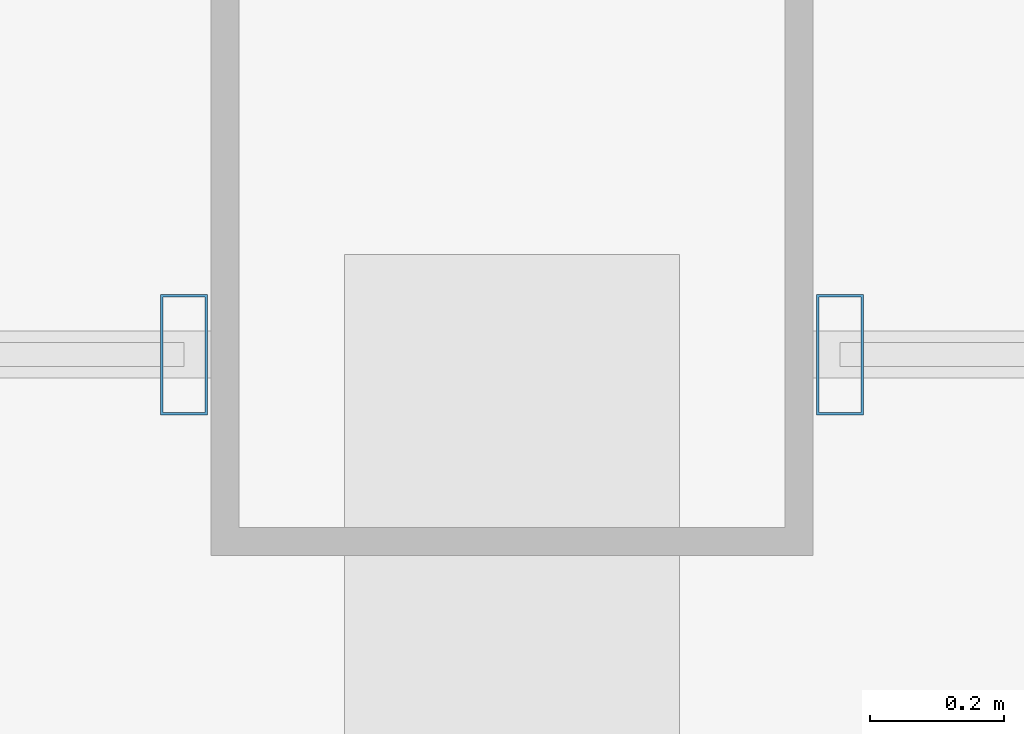
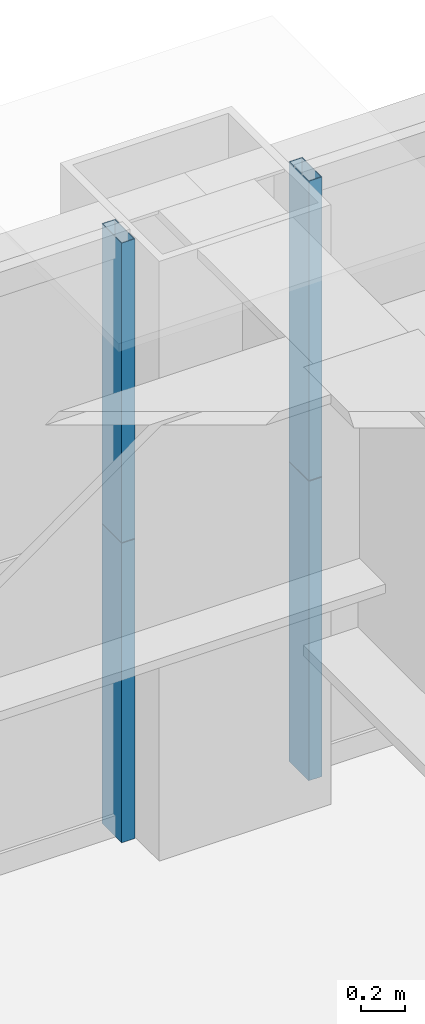
# One storey, part 30 of 44: 4 members, 2 elements without a shape of their own.
"""IFC4 building model written with IfcOpenShell, lengths in metres."""

from ifc_helpers import new_model, si_unit, direction, frame, origin, origin_2d, place, context, subcontext, project, spatial, hollow_rectangle, extrude, source, transform, mapped, material, layer, layer_set, material_profile, profile_set, type_object, element, aggregate, save


model = new_model("IFC4")

# Units and contexts
model_context = context("Model", 3, precision=1e-05, world=origin(), true_north=direction((0.0, 1.0)))
body_context = subcontext(model_context, "Body", "Model", "MODEL_VIEW")
ifc_project = project(units=[si_unit("LENGTHUNIT", "METRE"), si_unit("AREAUNIT", "SQUARE_METRE"), si_unit("VOLUMEUNIT", "CUBIC_METRE"), si_unit("PLANEANGLEUNIT", "RADIAN"), si_unit("MASSUNIT", "GRAM", prefix="KILO"), si_unit("THERMODYNAMICTEMPERATUREUNIT", "KELVIN"), si_unit("POWERUNIT", "WATT")], contexts=[model_context])

# Site, building, storey
site_placement = place(None, origin())
site = spatial("IfcSite", under=ifc_project, at=site_placement, CompositionType="ELEMENT")
building_placement = place(site_placement, origin())
building = spatial("IfcBuilding", under=site, at=building_placement, Name="Yuzanri Waterfront Tower", CompositionType="ELEMENT")
storey_placement = place(building_placement, frame((0.0, 0.0, 82.0)))
storey = spatial("IfcBuildingStorey", under=building, at=storey_placement, Name="L21", CompositionType="ELEMENT", Elevation=82.0)

# Curtain wall, members
ifc_material_1 = material(Name="Anodized Architectural Bronze", Category="metal")
ifc_layer = layer(ifc_material_1, 0.159912109375)
ifc_layer_set = layer_set([ifc_layer], Name="Anodized Architectural Bronze")
curtain_wall_type = type_object("IfcCurtainWallType", Name="Anodized Bronze Hotel Lower-Tier Recessed Unitized Curtain Wall 8100", PredefinedType="NOTDEFINED", material=ifc_layer_set)
curtain_wall_1_placement = place(storey_placement, origin())
curtain_wall_1 = element("IfcCurtainWall", 1, at=curtain_wall_1_placement, inside=storey, type_object=curtain_wall_type, Name="L21 Curtain Wall CW-L21-NL", PredefinedType="NOTDEFINED")
ifc_material_2 = material(Name="Anodized Architectural Bronze", Category="metal")
ifc_material_profile = material_profile(ifc_material_2, hollow_rectangle(XDim=0.070068359375, YDim=0.179931640625, WallThickness=0.00390625, at=origin_2d()), Name="CWM 70x180")
ifc_profile_set = profile_set([ifc_material_profile], Name="Anodized Architectural Bronze")
member_type = type_object("IfcMemberType", Name="Anodized Bronze Standard Curtain-Wall Mullion 70x180", PredefinedType="MULLION", material=ifc_profile_set)
shared_shape = source(origin(), body_context, "Body", "SweptSolid", [
    extrude(hollow_rectangle(XDim=0.070068359375, YDim=0.179931640625, WallThickness=0.00390625, at=origin_2d()), origin(), (0.0, 0.0, 1.0), 1.657958984375),
])
member_1_placement = place(storey_placement, frame((36.510009765625, 50.75, 0.0), z_axis=(0.0, 0.0, 1.0), x_axis=(1.0, 0.0, 0.0)))
member_1 = element("IfcMember", 2, at=member_1_placement, type_object=member_type, Name="CW-L21-NL Lower Mullion 02", PredefinedType="MULLION", context=body_context, shape_type="MappedRepresentation", body=[
    mapped(shared_shape, transform((0.0, 0.0, 0.0), scale=1.0)),
])
member_2_placement = place(storey_placement, frame((36.510009765625, 50.75, 1.662109375), z_axis=(0.0, 0.0, 1.0), x_axis=(1.0, 0.0, 0.0)))
member_2 = element("IfcMember", 3, at=member_2_placement, type_object=member_type, Name="CW-L21-NL Upper Mullion 02", PredefinedType="MULLION", context=body_context, shape_type="MappedRepresentation", body=[
    mapped(shared_shape, transform((0.0, 0.0, 0.0), scale=1.0)),
])
aggregate(curtain_wall_1, [member_1, member_2])

curtain_wall_2_placement = place(storey_placement, origin())
curtain_wall_2 = element("IfcCurtainWall", 4, at=curtain_wall_2_placement, inside=storey, type_object=curtain_wall_type, Name="L21 Curtain Wall CW-L21-NR", PredefinedType="NOTDEFINED")
member_3_placement = place(storey_placement, frame((37.489990234375, 50.75, 0.0), z_axis=(0.0, 0.0, 1.0), x_axis=(1.0, 0.0, 0.0)))
member_3 = element("IfcMember", 5, at=member_3_placement, type_object=member_type, Name="CW-L21-NR Lower Mullion 00", PredefinedType="MULLION", context=body_context, shape_type="MappedRepresentation", body=[
    mapped(shared_shape, transform((0.0, 0.0, 0.0), scale=1.0)),
])
member_4_placement = place(storey_placement, frame((37.489990234375, 50.75, 1.662109375), z_axis=(0.0, 0.0, 1.0), x_axis=(1.0, 0.0, 0.0)))
member_4 = element("IfcMember", 6, at=member_4_placement, type_object=member_type, Name="CW-L21-NR Upper Mullion 00", PredefinedType="MULLION", context=body_context, shape_type="MappedRepresentation", body=[
    mapped(shared_shape, transform((0.0, 0.0, 0.0), scale=1.0)),
])
aggregate(curtain_wall_2, [member_3, member_4])

save(model, "model.ifc")
